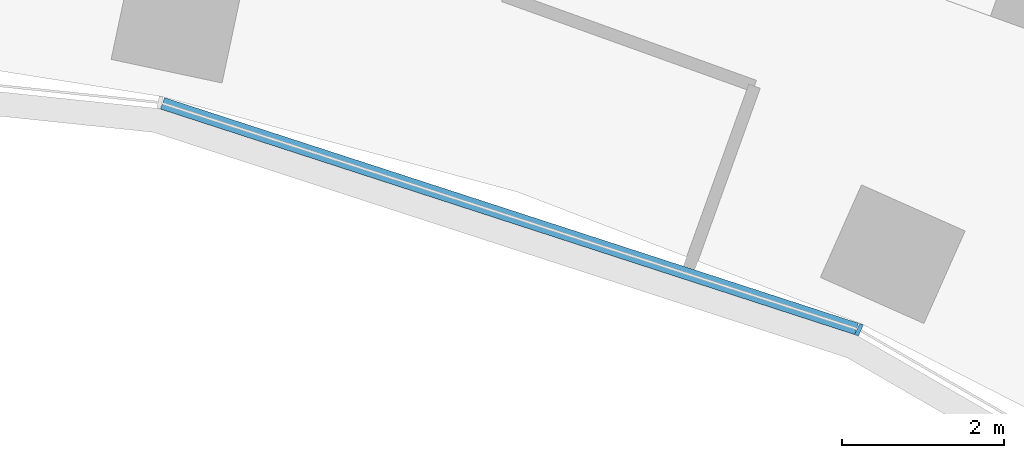
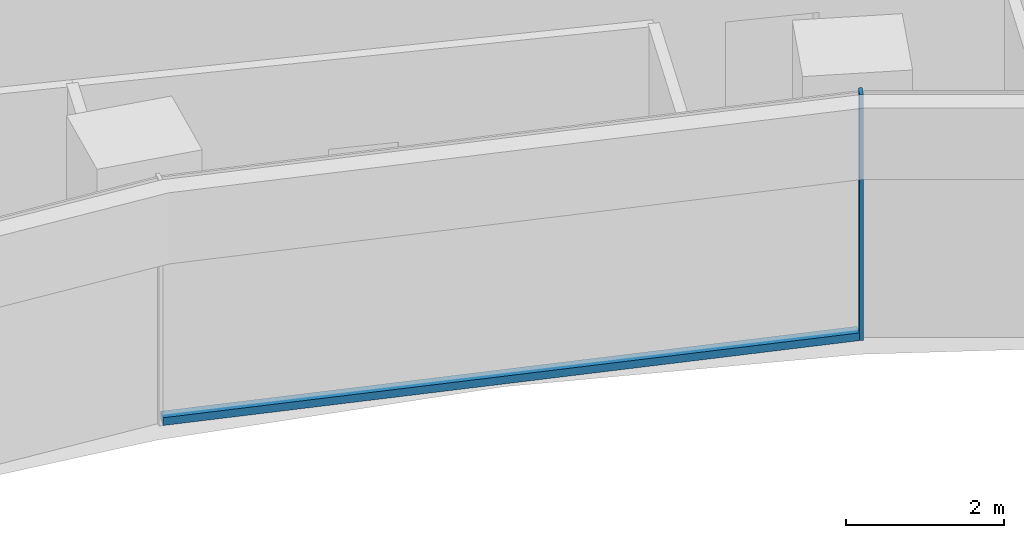
# One storey, part 9 of 21: 2 members, 1 element without a shape of its own.
"""IFC4 building model written with IfcOpenShell, lengths in metres."""

from ifc_helpers import new_model, si_unit, direction, frame, origin, origin_2d, place, context, subcontext, project, spatial, rectangle, extrude, material, layer, layer_set, material_profile, profile_set, type_object, element, aggregate, save


model = new_model("IFC4")

# Units and contexts
model_context = context("Model", 3, precision=1e-05, world=origin(), true_north=direction((0.0, 1.0)))
body_context = subcontext(model_context, "Body", "Model", "MODEL_VIEW")
ifc_project = project(units=[si_unit("LENGTHUNIT", "METRE"), si_unit("AREAUNIT", "SQUARE_METRE"), si_unit("VOLUMEUNIT", "CUBIC_METRE"), si_unit("PLANEANGLEUNIT", "RADIAN"), si_unit("MASSUNIT", "GRAM", prefix="KILO")], contexts=[model_context])

# Site, building, storey
site_placement = place(None, origin())
site = spatial("IfcSite", under=ifc_project, at=site_placement, CompositionType="ELEMENT")
building_placement = place(site_placement, origin())
building = spatial("IfcBuilding", under=site, at=building_placement, Name="Stone Belt Terrace Tower", CompositionType="ELEMENT")
storey_placement = place(building_placement, frame((0.0, 0.0, 60.39990234375)))
storey = spatial("IfcBuildingStorey", under=building, at=storey_placement, Name="L14", CompositionType="ELEMENT", Elevation=60.39990234375)

# Curtain wall, members
ifc_material = material(Name="Aluminium 6063-T6 anodised frame", Category="aluminium")
ifc_layer = layer(ifc_material, 0.14990234375)
ifc_layer_set = layer_set([ifc_layer], Name="CW-B unitised concave-face curtain wall")
curtain_wall_type = type_object("IfcCurtainWallType", Name="CW-B unitised concave-face curtain wall", PredefinedType="NOTDEFINED", material=ifc_layer_set)
curtain_wall_placement = place(storey_placement, origin())
curtain_wall = element("IfcCurtainWall", 1, at=curtain_wall_placement, inside=storey, type_object=curtain_wall_type, Name="CW-B concave face L14", PredefinedType="NOTDEFINED")
ifc_material_profile_1 = material_profile(ifc_material, rectangle(XDim=0.14990234375, YDim=0.050048828125, at=origin_2d()), Name="Aluminium 6063-T6 50x150")
ifc_profile_set_1 = profile_set([ifc_material_profile_1], Name="Aluminium 6063-T6 anodised frame")
member_type_1 = type_object("IfcMemberType", Name="CW-B mullion 50 x 150", PredefinedType="MULLION", material=ifc_profile_set_1)
member_1_placement = place(storey_placement, frame((17.662353515625, 39.67041015625, 0.0), z_axis=(0.0, 0.0, 1.0), x_axis=(0.406736643076, 0.913545457643, 0.0)))
member_1 = element("IfcMember", 2, at=member_1_placement, type_object=member_type_1, Name="CW-B mullion 8", PredefinedType="MULLION", context=body_context, shape_type="SweptSolid", body=[
    extrude(rectangle(XDim=0.14990234375, YDim=0.050048828125, at=origin_2d()), origin(), (0.0, 0.0, 1.0), 3.800048828125),
])
ifc_material_profile_2 = material_profile(ifc_material, rectangle(XDim=0.14990234375, YDim=0.1201171875, at=origin_2d()), Name="Aluminium 6063-T6 150x120")
ifc_profile_set_2 = profile_set([ifc_material_profile_2], Name="Aluminium 6063-T6 anodised frame")
member_type_2 = type_object("IfcMemberType", Name="CW-B transom 120 x 150", PredefinedType="USERDEFINED", material=ifc_profile_set_2)
member_2_placement = place(storey_placement, frame((9.0595703125, 42.465576171875, 0.06005859375), z_axis=(0.951055963285, -0.309018696359, 0.0), x_axis=(0.309018696359, 0.951055963285, 0.0)))
member_2 = element("IfcMember", 3, at=member_2_placement, type_object=member_type_2, Name="CW-B transom 7.1", ObjectType="TRANSOM", PredefinedType="USERDEFINED", context=body_context, shape_type="SweptSolid", body=[
    extrude(rectangle(XDim=0.14990234375, YDim=0.1201171875, at=origin_2d()), origin(), (0.0, 0.0, 1.0), 9.012939453125),
])
aggregate(curtain_wall, [member_1, member_2])

save(model, "model.ifc")
